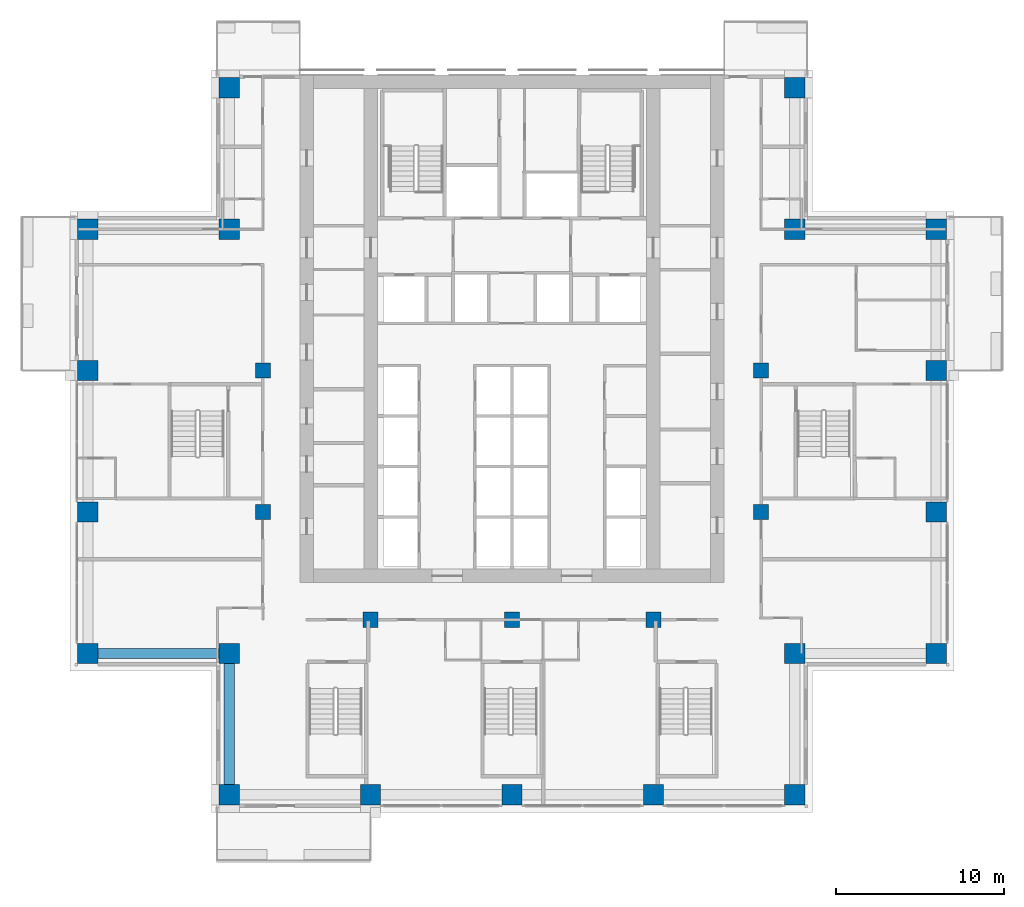
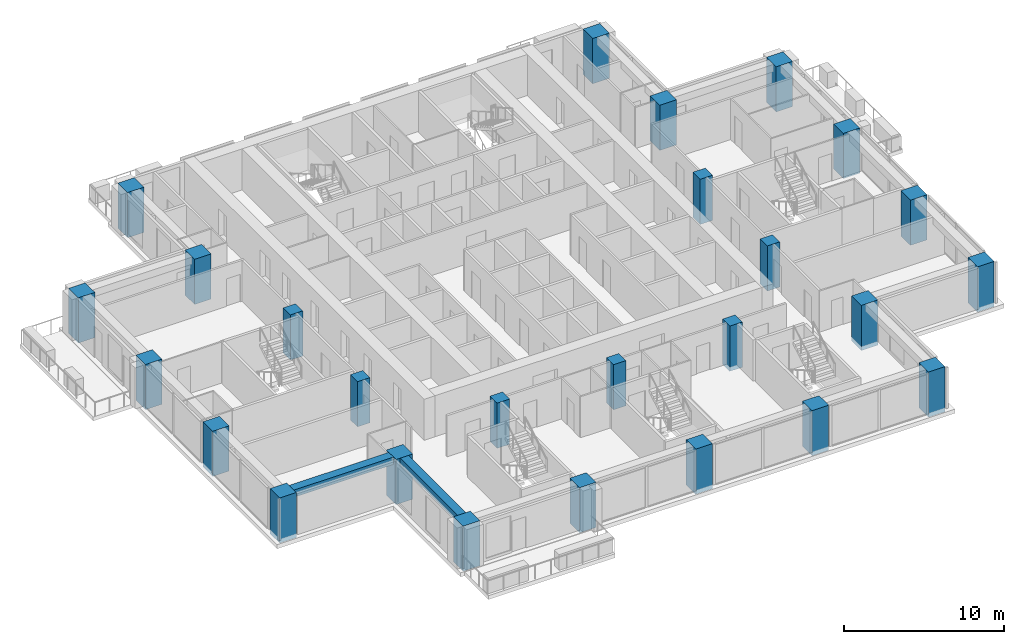
# One storey, part 1 of 17: 26 columns, 2 beams.
"""IFC4 building model written with IfcOpenShell, lengths in metres."""

from ifc_helpers import new_model, si_unit, direction, frame, origin, origin_2d, place, context, subcontext, project, spatial, rectangle, extrude, material, material_profile, profile_set, type_object, element, save


model = new_model("IFC4")

# Units and contexts
model_context = context("Model", 3, precision=1e-05, world=origin(), true_north=direction((0.0, 1.0)))
body_context = subcontext(model_context, "Body", "Model", "MODEL_VIEW")
ifc_project = project(units=[si_unit("LENGTHUNIT", "METRE"), si_unit("AREAUNIT", "SQUARE_METRE"), si_unit("VOLUMEUNIT", "CUBIC_METRE"), si_unit("PLANEANGLEUNIT", "RADIAN"), si_unit("MASSUNIT", "GRAM", prefix="KILO")], contexts=[model_context])

# Site, building, storey
site_placement = place(None, origin())
site = spatial("IfcSite", under=ifc_project, at=site_placement, CompositionType="ELEMENT")
building_placement = place(site_placement, origin())
building = spatial("IfcBuilding", under=site, at=building_placement, Name="Vermilion Ogive Tower", CompositionType="ELEMENT")
storey_placement = place(building_placement, frame((0.0, 0.0, 87.300048828125)))
storey = spatial("IfcBuildingStorey", under=building, at=storey_placement, Name="L21", CompositionType="ELEMENT", Elevation=87.300048828125)

# Columns
ifc_material_1 = material(Name="Concrete B80", Category="concrete")
ifc_material_profile_1 = material_profile(ifc_material_1, rectangle(XDim=1.199951171875, YDim=1.199951171875, at=origin_2d()), Name="1200 x 1200")
ifc_profile_set_1 = profile_set([ifc_material_profile_1], Name="Concrete B80")
column_type_1 = type_object("IfcColumnType", Name="Perimeter column 1200 x 1200 B80", PredefinedType="COLUMN", material=ifc_profile_set_1)
for number, where, z_axis, x_axis, name in (
    (1, (-16.800048828125, -21.0, -0.320068359375), (0.0, 0.0, 1.0), (1.0, 0.0, 0.0), "COL-L21-P-0168-210"),
    (2, (-8.39990234375, -21.0, -0.320068359375), (0.0, 0.0, 1.0), (1.0, 0.0, 0.0), "COL-L21-P-0084-210"),
    (3, (0.0, -21.0, -0.320068359375), (0.0, 0.0, 1.0), (1.0, 0.0, 0.0), "COL-L21-P+0000-210"),
    (4, (8.39990234375, -21.0, -0.320068359375), (0.0, 0.0, 1.0), (1.0, 0.0, 0.0), "COL-L21-P+0084-210"),
    (5, (16.800048828125, -21.0, -0.320068359375), (0.0, 0.0, 1.0), (1.0, 0.0, 0.0), "COL-L21-P+0168-210"),
    (6, (-25.199951171875, -12.60009765625, -0.320068359375), (0.0, 0.0, 1.0), (1.0, 0.0, 0.0), "COL-L21-P-0252-126"),
    (7, (-16.800048828125, -12.60009765625, -0.320068359375), (0.0, 0.0, 1.0), (1.0, 0.0, 0.0), "COL-L21-P-0168-126"),
    (8, (16.800048828125, -12.60009765625, -0.320068359375), (0.0, 0.0, 1.0), (1.0, 0.0, 0.0), "COL-L21-P+0168-126"),
    (9, (25.199951171875, -12.60009765625, -0.320068359375), (0.0, 0.0, 1.0), (1.0, 0.0, 0.0), "COL-L21-P+0252-126"),
    (10, (-25.199951171875, -4.199951171875, -0.320068359375), (0.0, 0.0, 1.0), (1.0, 0.0, 0.0), "COL-L21-P-0252-042"),
    (11, (25.199951171875, -4.199951171875, -0.320068359375), (0.0, 0.0, 1.0), (1.0, 0.0, 0.0), "COL-L21-P+0252-042"),
    (12, (-25.199951171875, 4.199951171875, -0.320068359375), (0.0, 0.0, 1.0), (1.0, 0.0, 0.0), "COL-L21-P-0252+042"),
    (13, (25.199951171875, 4.199951171875, -0.320068359375), (0.0, 0.0, 1.0), (1.0, 0.0, 0.0), "COL-L21-P+0252+042"),
    (14, (-25.199951171875, 12.60009765625, -0.320068359375), (0.0, 0.0, 1.0), (1.0, 0.0, 0.0), "COL-L21-P-0252+126"),
    (15, (-16.800048828125, 12.60009765625, -0.320068359375), (0.0, 0.0, 1.0), (1.0, 0.0, 0.0), "COL-L21-P-0168+126"),
    (16, (16.800048828125, 12.60009765625, -0.320068359375), (0.0, 0.0, 1.0), (1.0, 0.0, 0.0), "COL-L21-P+0168+126"),
    (17, (25.199951171875, 12.60009765625, -0.320068359375), (0.0, 0.0, 1.0), (1.0, 0.0, 0.0), "COL-L21-P+0252+126"),
    (18, (-16.800048828125, 21.0, -0.320068359375), (0.0, 0.0, 1.0), (1.0, 0.0, 0.0), "COL-L21-P-0168+210"),
    (19, (16.800048828125, 21.0, -0.320068359375), (0.0, 0.0, 1.0), (1.0, 0.0, 0.0), "COL-L21-P+0168+210"),
):
    element("IfcColumn", number, at=place(storey_placement, frame(where, z_axis=z_axis, x_axis=x_axis)), inside=storey, type_object=column_type_1, Name=name, PredefinedType="COLUMN", context=body_context, shape_type="SweptSolid", body=[
        extrude(rectangle(XDim=1.199951171875, YDim=1.199951171875, at=origin_2d()), origin(), (0.0, 0.0, 1.0), 3.449951171875),
    ])
ifc_material_2 = material(Name="Concrete B80", Category="concrete")
ifc_material_profile_2 = material_profile(ifc_material_2, rectangle(XDim=0.89990234375, YDim=0.89990234375, at=origin_2d()), Name="900 x 900")
ifc_profile_set_2 = profile_set([ifc_material_profile_2], Name="Concrete B80")
column_type_2 = type_object("IfcColumnType", Name="Ring column 900 x 900 B80", PredefinedType="COLUMN", material=ifc_profile_set_2)
for number, where, z_axis, x_axis, name in (
    (20, (-8.39990234375, -10.60009765625, -0.320068359375), (0.0, 0.0, 1.0), (1.0, 0.0, 0.0), "COL-L21-R-0084-106"),
    (21, (0.0, -10.60009765625, -0.320068359375), (0.0, 0.0, 1.0), (1.0, 0.0, 0.0), "COL-L21-R+0000-106"),
    (22, (8.39990234375, -10.60009765625, -0.320068359375), (0.0, 0.0, 1.0), (1.0, 0.0, 0.0), "COL-L21-R+0084-106"),
    (23, (-14.800048828125, -4.199951171875, -0.320068359375), (0.0, 0.0, 1.0), (1.0, 0.0, 0.0), "COL-L21-R-0148-042"),
    (24, (14.800048828125, -4.199951171875, -0.320068359375), (0.0, 0.0, 1.0), (1.0, 0.0, 0.0), "COL-L21-R+0148-042"),
    (25, (-14.800048828125, 4.199951171875, -0.320068359375), (0.0, 0.0, 1.0), (1.0, 0.0, 0.0), "COL-L21-R-0148+042"),
    (26, (14.800048828125, 4.199951171875, -0.320068359375), (0.0, 0.0, 1.0), (1.0, 0.0, 0.0), "COL-L21-R+0148+042"),
):
    element("IfcColumn", number, at=place(storey_placement, frame(where, z_axis=z_axis, x_axis=x_axis)), inside=storey, type_object=column_type_2, Name=name, PredefinedType="COLUMN", context=body_context, shape_type="SweptSolid", body=[
        extrude(rectangle(XDim=0.89990234375, YDim=0.89990234375, at=origin_2d()), origin(), (0.0, 0.0, 1.0), 3.449951171875),
    ])

# Beams
ifc_material_3 = material(Name="Concrete B45", Category="concrete")
ifc_material_profile_3 = material_profile(ifc_material_3, rectangle(XDim=0.60009765625, YDim=0.550048828125, at=origin_2d()), Name="600 x 550")
ifc_profile_set_3 = profile_set([ifc_material_profile_3], Name="Concrete B45")
beam_type = type_object("IfcBeamType", Name="Edge beam 600 x 550 B45", PredefinedType="BEAM", material=ifc_profile_set_3)
beam_1_placement = place(storey_placement, frame((-24.60009765625, -12.60009765625, 2.85498046875), z_axis=(1.0, 0.0, 0.0), x_axis=(0.0, 1.0, 0.0)))
element("IfcBeam", 27, at=beam_1_placement, inside=storey, type_object=beam_type, Name="L21-EB-17", PredefinedType="BEAM", context=body_context, shape_type="SweptSolid", body=[
    extrude(rectangle(XDim=0.60009765625, YDim=0.550048828125, at=origin_2d()), origin(), (0.0, 0.0, 1.0), 7.2001953125),
])
beam_2_placement = place(storey_placement, frame((-16.800048828125, -13.199951171875, 2.85498046875), z_axis=(0.0, -1.0, 0.0), x_axis=(1.0, 0.0, 0.0)))
element("IfcBeam", 28, at=beam_2_placement, inside=storey, type_object=beam_type, Name="L21-EB-18", PredefinedType="BEAM", context=body_context, shape_type="SweptSolid", body=[
    extrude(rectangle(XDim=0.60009765625, YDim=0.550048828125, at=origin_2d()), origin(), (0.0, 0.0, 1.0), 7.199951171875),
])

save(model, "model.ifc")
